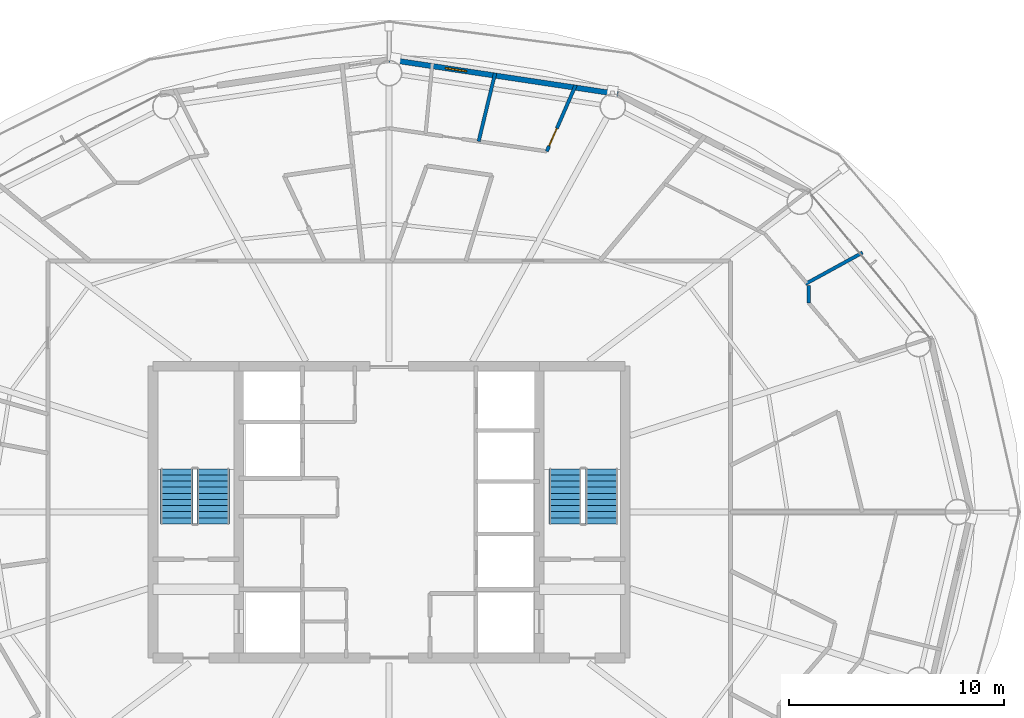
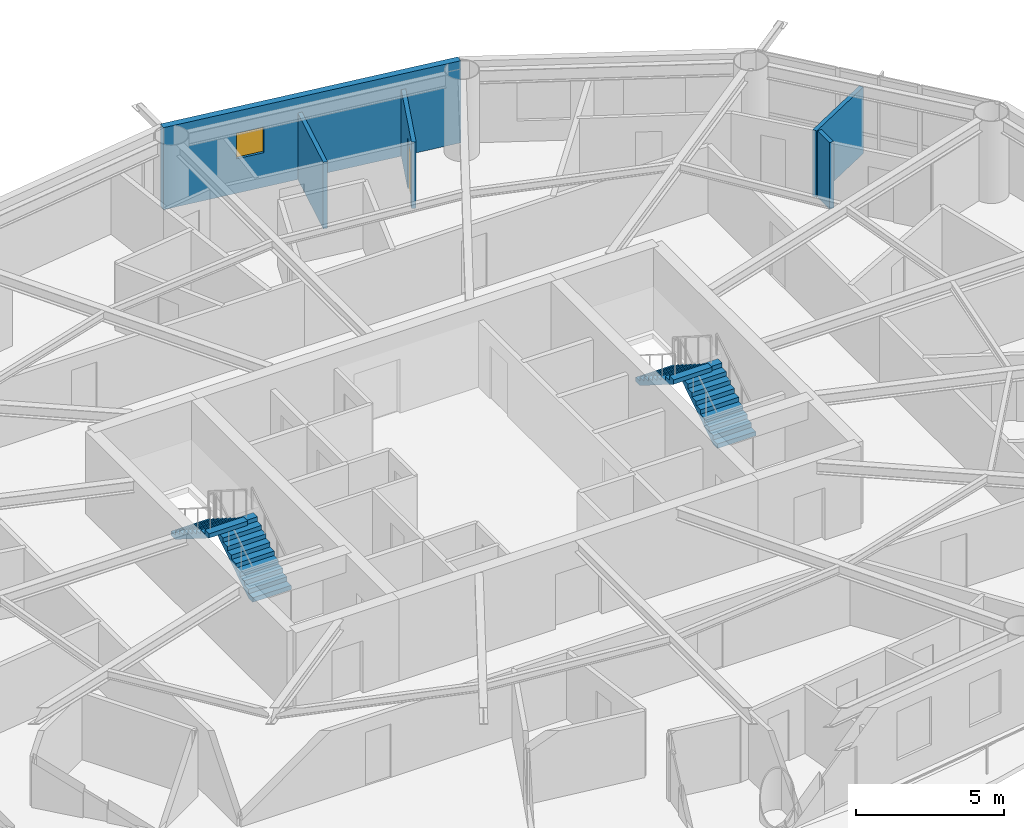
# One storey, part 25 of 28: 5 walls, 4 stair flights, 1 door, 1 window, 2 openings, 2 elements without a shape of their own.
"""IFC4 building model written with IfcOpenShell, lengths in metres."""

from ifc_helpers import new_model, si_unit, direction, frame, frame_2d, origin, place, context, subcontext, project, spatial, polyline, rectangle, outline, extrude, material, layer, layer_set, type_object, element, fill, aggregate, save


model = new_model("IFC4")

# Units and contexts
model_context = context("Model", 3, precision=1e-05, world=origin(), true_north=direction((0.0, 1.0)))
body_context = subcontext(model_context, "Body", "Model", "MODEL_VIEW")
ifc_project = project(units=[si_unit("LENGTHUNIT", "METRE"), si_unit("AREAUNIT", "SQUARE_METRE"), si_unit("VOLUMEUNIT", "CUBIC_METRE"), si_unit("PLANEANGLEUNIT", "RADIAN"), si_unit("MASSUNIT", "GRAM", prefix="KILO")], contexts=[model_context])

# Site, building, storey
site_placement = place(None, origin())
site = spatial("IfcSite", under=ifc_project, at=site_placement, CompositionType="ELEMENT")
building_placement = place(site_placement, origin())
building = spatial("IfcBuilding", under=site, at=building_placement, Name="Sarneth Arch Tower", CompositionType="ELEMENT")
storey_placement = place(building_placement, frame((0.0, 0.0, 179.39990234375)))
storey = spatial("IfcBuildingStorey", under=building, at=storey_placement, Name="L45", CompositionType="ELEMENT", Elevation=179.39990234375)

# Wall, opening, window
ifc_material_1 = material(Name="Extruded terracotta rainscreen on Concrete C40/50 backing", Category="masonry")
ifc_layer_1 = layer(ifc_material_1, 0.25)
ifc_layer_set_1 = layer_set([ifc_layer_1], Name="Extruded terracotta rainscreen on Concrete C40/50 backing")
wall_type_1 = type_object("IfcWallType", Name="WALL-EXT-SPAND-250", PredefinedType="SOLIDWALL", material=ifc_layer_set_1)
wall_1_placement = place(storey_placement, frame((58.662841796875, 61.475341796875, 0.0), z_axis=(0.0, 0.0, 1.0), x_axis=(-0.988863993413, 0.148822049884, 0.0)))
wall_1 = element("IfcWall", 1, at=wall_1_placement, inside=storey, type_object=wall_type_1, Name="L45 Terracotta perimeter wall 04", PredefinedType="SOLIDWALL", context=body_context, shape_type="SweptSolid", body=[
    extrude(rectangle(XDim=10.782958984375, YDim=0.25, at=frame_2d((5.3916015625, 0.0))), origin(), (0.0, 0.0, 1.0), 3.380126953125),
])
opening_1_placement = place(wall_1_placement, frame((7.131591796875, 0.0, 1.419921875)))
opening_1 = element("IfcOpeningElement", 2, at=opening_1_placement, cuts=wall_1, Name="Opening W-14", PredefinedType="OPENING", context=body_context, shape_type="SweptSolid", body=[
    extrude(rectangle(XDim=1.0, YDim=1.050048828125, at=frame_2d((0.5, 0.52490234375))), frame((0.0, 0.135009765625, 0.0), z_axis=(0.0, -1.0, 0.0), x_axis=(1.0, 0.0, 0.0)), (0.0, 0.0, 1.0), 0.27001953125),
])
ifc_material_2 = material(Name="Thermally broken Aluminium 6063-T6 and low-e laminated IGU", Category="aluminium")
window_type = type_object("IfcWindowType", Name="WIN-TWR-1000x1050", PartitioningType="SINGLE_PANEL", PredefinedType="WINDOW", material=ifc_material_2)
window_placement = place(opening_1_placement, origin())
window = element("IfcWindow", 3, at=window_placement, inside=storey, type_object=window_type, Name="L45 Dwelling bedroom window 01", OverallHeight=1.050048828125, OverallWidth=1.0, PartitioningType="SINGLE_PANEL", PredefinedType="WINDOW", context=body_context, shape_type="SweptSolid", body=[
    extrude(rectangle(XDim=1.0, YDim=1.050048828125, at=frame_2d((0.5, 0.52490234375))), frame((0.0, 0.030029296875, 0.0), z_axis=(0.0, -1.0, 0.0), x_axis=(1.0, 0.0, 0.0)), (0.0, 0.0, 1.0), 0.06005859375),
])
fill(opening_1, window)

# Wall, opening, door
ifc_material_3 = material(Name="Kitchen wet service chase wall", Category="gypsum")
ifc_layer_2 = layer(ifc_material_3, 0.159912109375)
ifc_layer_set_2 = layer_set([ifc_layer_2], Name="Kitchen wet service chase wall")
wall_type_2 = type_object("IfcWallType", Name="WALL-PLUMB-160", PredefinedType="PLUMBINGWALL", material=ifc_layer_set_2)
wall_2_placement = place(storey_placement, frame((56.692138671875, 61.88916015625, 0.0), z_axis=(0.0, 0.0, 1.0), x_axis=(-0.400476274623, -0.916307128349, 0.0)))
wall_2 = element("IfcWall", 4, at=wall_2_placement, inside=storey, type_object=wall_type_2, Name="L45 Interior partition W-L45-TP-037", PredefinedType="PLUMBINGWALL", context=body_context, shape_type="SweptSolid", body=[
    extrude(rectangle(XDim=3.365234375, YDim=0.159912109375, at=frame_2d((1.6826171875, 0.0))), origin(), (0.0, 0.0, 1.0), 2.739990234375),
])
opening_2_placement = place(wall_2_placement, frame((2.1923828125, 0.0, 0.0)))
opening_2 = element("IfcOpeningElement", 5, at=opening_2_placement, cuts=wall_2, Name="Opening ID-01", PredefinedType="OPENING", context=body_context, shape_type="SweptSolid", body=[
    extrude(rectangle(XDim=0.89990234375, YDim=2.10009765625, at=frame_2d((0.449951171875, 1.050048828125))), frame((0.0, 0.08984375, 0.0), z_axis=(0.0, -1.0, 0.0), x_axis=(1.0, 0.0, 0.0)), (0.0, 0.0, 1.0), 0.179931640625),
])
ifc_material_4 = material(Name="Engineered hardwood flush door", Category="wood")
door_type = type_object("IfcDoorType", Name="DR-INT-900", OperationType="SINGLE_SWING_LEFT", PredefinedType="DOOR", material=ifc_material_4)
door_placement = place(opening_2_placement, origin())
door = element("IfcDoor", 6, at=door_placement, inside=storey, type_object=door_type, Name="L45 Interior door DR-L45-U2-KIT", OperationType="SINGLE_SWING_LEFT", OverallHeight=2.10009765625, OverallWidth=0.89990234375, PredefinedType="DOOR", context=body_context, shape_type="SweptSolid", body=[
    extrude(rectangle(XDim=0.89990234375, YDim=2.10009765625, at=frame_2d((0.449951171875, 1.050048828125))), frame((0.0, 0.02490234375, 0.0), z_axis=(0.0, -1.0, 0.0), x_axis=(1.0, 0.0, 0.0)), (0.0, 0.0, 1.0), 0.050048828125),
])
fill(opening_2, door)

# Walls
wall_3_placement = place(storey_placement, frame((52.939697265625, 62.45751953125, 0.0), z_axis=(0.0, 0.0, 1.0), x_axis=(-0.23474970119, -0.972055851169, 0.0)))
element("IfcWall", 7, at=wall_3_placement, inside=storey, type_object=wall_type_2, Name="L45 Interior partition W-L45-TP-047", PredefinedType="PLUMBINGWALL", context=body_context, shape_type="SweptSolid", body=[
    extrude(rectangle(XDim=3.279052734375, YDim=0.159912109375, at=frame_2d((1.6396484375, 0.0))), origin(), (0.0, 0.0, 1.0), 2.739990234375),
])
wall_4_placement = place(storey_placement, frame((67.395751953125, 52.629150390625, 0.0), z_axis=(0.0, 0.0, 1.0), x_axis=(0.876959960956, 0.4805634473, 0.0)))
element("IfcWall", 8, at=wall_4_placement, inside=storey, type_object=wall_type_2, Name="L45 Interior partition W-L45-TP-033", PredefinedType="PLUMBINGWALL", context=body_context, shape_type="SweptSolid", body=[
    extrude(rectangle(XDim=3.037109375, YDim=0.159912109375, at=frame_2d((1.5185546875, 0.0))), origin(), (0.0, 0.0, 1.0), 2.739990234375),
])
wall_5_placement = place(storey_placement, frame((67.550048828125, 51.744384765625, 0.0), z_axis=(0.0, 0.0, 1.0), x_axis=(0.0, 1.0, 0.0)))
element("IfcWall", 9, at=wall_5_placement, inside=storey, type_object=wall_type_2, Name="L45 Interior partition W-L45-TP-023", PredefinedType="PLUMBINGWALL", context=body_context, shape_type="SweptSolid", body=[
    extrude(rectangle(XDim=0.812255859375, YDim=0.159912109375, at=frame_2d((0.40625, 0.0))), origin(), (0.0, 0.0, 1.0), 2.739990234375),
])

# Stair, stair flights
ifc_material_5 = material(Name="Concrete C50/60", Category="concrete")
stair_type = type_object("IfcStairType", Name="STAIR-CORE-RC", PredefinedType="HALF_TURN_STAIR", material=ifc_material_5)
stair_1_placement = place(storey_placement, origin())
stair_1 = element("IfcStair", 10, at=stair_1_placement, inside=storey, type_object=stair_type, Name="L45 Core Exit Stair 1", PredefinedType="HALF_TURN_STAIR")
ifc_material_6 = material(Name="Concrete C50/60", Category="concrete")
stair_flight_type = type_object("IfcStairFlightType", Name="FLIGHT-RC-1500", PredefinedType="STRAIGHT", material=ifc_material_6)
stair_flight_1_placement = place(storey_placement, frame((39.800048828125, 41.449951171875, 0.0), z_axis=(0.0, 0.0, 1.0), x_axis=(0.0, 1.0, 0.0)))
stair_flight_1 = element("IfcStairFlight", 11, at=stair_flight_1_placement, type_object=stair_flight_type, Name="ST-1 flight 1", NumberOfRisers=10, NumberOfTreads=9, PredefinedType="STRAIGHT", RiserHeight=0.18, TreadLength=0.285, context=body_context, shape_type="SweptSolid", body=[
    extrude(outline(polyline([(0.0, 0.0), (0.0, 0.179931640625), (0.284912109375, 0.179931640625), (0.284912109375, 0.360107421875), (0.570068359375, 0.360107421875), (0.570068359375, 0.5400390625), (0.85498046875, 0.5400390625), (0.85498046875, 0.719970703125), (1.139892578125, 0.719970703125), (1.139892578125, 0.89990234375), (1.425048828125, 0.89990234375), (1.425048828125, 1.080078125), (1.7099609375, 1.080078125), (1.7099609375, 1.260009765625), (1.9951171875, 1.260009765625), (1.9951171875, 1.43994140625), (2.280029296875, 1.43994140625), (2.280029296875, 1.6201171875), (2.56494140625, 1.6201171875), (2.56494140625, 1.800048828125), (2.56494140625, 1.442626953125), (0.28076171875, 0.0), (0.0, 0.0)])), frame((0.0, 0.75, 0.0), z_axis=(0.0, -1.0, 0.0), x_axis=(1.0, 0.0, 0.0)), (0.0, 0.0, 1.0), 1.5),
])
stair_flight_2_placement = place(storey_placement, frame((38.10009765625, 44.014892578125, 1.800048828125), z_axis=(0.0, 0.0, 1.0), x_axis=(0.0, -1.0, 0.0)))
stair_flight_2 = element("IfcStairFlight", 12, at=stair_flight_2_placement, type_object=stair_flight_type, Name="ST-1 flight 2", NumberOfRisers=10, NumberOfTreads=9, PredefinedType="STRAIGHT", RiserHeight=0.18, TreadLength=0.285, context=body_context, shape_type="SweptSolid", body=[
    extrude(outline(polyline([(0.0, 0.0), (0.0, 0.179931640625), (0.284912109375, 0.179931640625), (0.284912109375, 0.360107421875), (0.570068359375, 0.360107421875), (0.570068359375, 0.5400390625), (0.85498046875, 0.5400390625), (0.85498046875, 0.719970703125), (1.139892578125, 0.719970703125), (1.139892578125, 0.89990234375), (1.425048828125, 0.89990234375), (1.425048828125, 1.080078125), (1.7099609375, 1.080078125), (1.7099609375, 1.260009765625), (1.9951171875, 1.260009765625), (1.9951171875, 1.43994140625), (2.280029296875, 1.43994140625), (2.280029296875, 1.6201171875), (2.56494140625, 1.6201171875), (2.56494140625, 1.800048828125), (2.56494140625, 1.442626953125), (0.28076171875, 0.0), (0.0, 0.0)])), frame((0.0, 0.75, 0.0), z_axis=(0.0, -1.0, 0.0), x_axis=(1.0, 0.0, 0.0)), (0.0, 0.0, 1.0), 1.5),
])
aggregate(stair_1, [stair_flight_1, stair_flight_2])

stair_2_placement = place(storey_placement, origin())
stair_2 = element("IfcStair", 13, at=stair_2_placement, inside=storey, type_object=stair_type, Name="L45 Core Exit Stair 2", PredefinedType="HALF_TURN_STAIR")
stair_flight_3_placement = place(storey_placement, frame((57.89990234375, 41.449951171875, 0.0), z_axis=(0.0, 0.0, 1.0), x_axis=(0.0, 1.0, 0.0)))
stair_flight_3 = element("IfcStairFlight", 14, at=stair_flight_3_placement, type_object=stair_flight_type, Name="ST-2 flight 1", NumberOfRisers=10, NumberOfTreads=9, PredefinedType="STRAIGHT", RiserHeight=0.18, TreadLength=0.285, context=body_context, shape_type="SweptSolid", body=[
    extrude(outline(polyline([(0.0, 0.0), (0.0, 0.179931640625), (0.284912109375, 0.179931640625), (0.284912109375, 0.360107421875), (0.570068359375, 0.360107421875), (0.570068359375, 0.5400390625), (0.85498046875, 0.5400390625), (0.85498046875, 0.719970703125), (1.139892578125, 0.719970703125), (1.139892578125, 0.89990234375), (1.425048828125, 0.89990234375), (1.425048828125, 1.080078125), (1.7099609375, 1.080078125), (1.7099609375, 1.260009765625), (1.9951171875, 1.260009765625), (1.9951171875, 1.43994140625), (2.280029296875, 1.43994140625), (2.280029296875, 1.6201171875), (2.56494140625, 1.6201171875), (2.56494140625, 1.800048828125), (2.56494140625, 1.442626953125), (0.28076171875, 0.0), (0.0, 0.0)])), frame((0.0, 0.75, 0.0), z_axis=(0.0, -1.0, 0.0), x_axis=(1.0, 0.0, 0.0)), (0.0, 0.0, 1.0), 1.5),
])
stair_flight_4_placement = place(storey_placement, frame((56.199951171875, 44.014892578125, 1.800048828125), z_axis=(0.0, 0.0, 1.0), x_axis=(0.0, -1.0, 0.0)))
stair_flight_4 = element("IfcStairFlight", 15, at=stair_flight_4_placement, type_object=stair_flight_type, Name="ST-2 flight 2", NumberOfRisers=10, NumberOfTreads=9, PredefinedType="STRAIGHT", RiserHeight=0.18, TreadLength=0.285, context=body_context, shape_type="SweptSolid", body=[
    extrude(outline(polyline([(0.0, 0.0), (0.0, 0.179931640625), (0.284912109375, 0.179931640625), (0.284912109375, 0.360107421875), (0.570068359375, 0.360107421875), (0.570068359375, 0.5400390625), (0.85498046875, 0.5400390625), (0.85498046875, 0.719970703125), (1.139892578125, 0.719970703125), (1.139892578125, 0.89990234375), (1.425048828125, 0.89990234375), (1.425048828125, 1.080078125), (1.7099609375, 1.080078125), (1.7099609375, 1.260009765625), (1.9951171875, 1.260009765625), (1.9951171875, 1.43994140625), (2.280029296875, 1.43994140625), (2.280029296875, 1.6201171875), (2.56494140625, 1.6201171875), (2.56494140625, 1.800048828125), (2.56494140625, 1.442626953125), (0.28076171875, 0.0), (0.0, 0.0)])), frame((0.0, 0.75, 0.0), z_axis=(0.0, -1.0, 0.0), x_axis=(1.0, 0.0, 0.0)), (0.0, 0.0, 1.0), 1.5),
])
aggregate(stair_2, [stair_flight_3, stair_flight_4])

save(model, "model.ifc")
